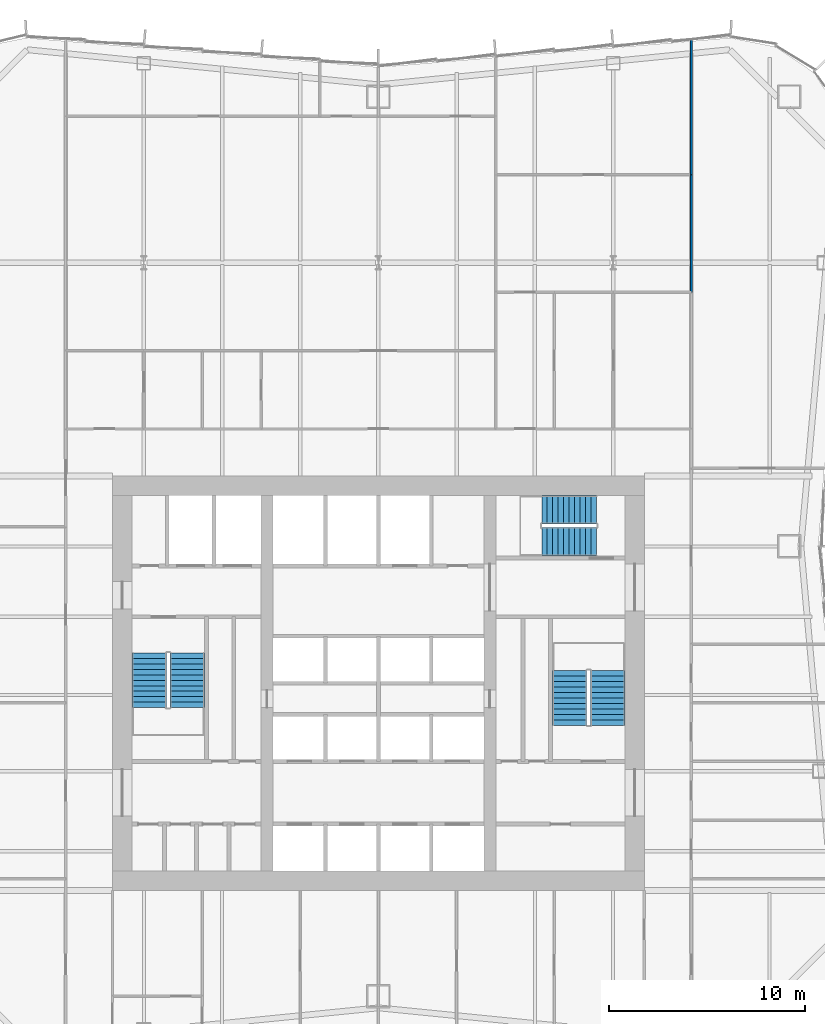
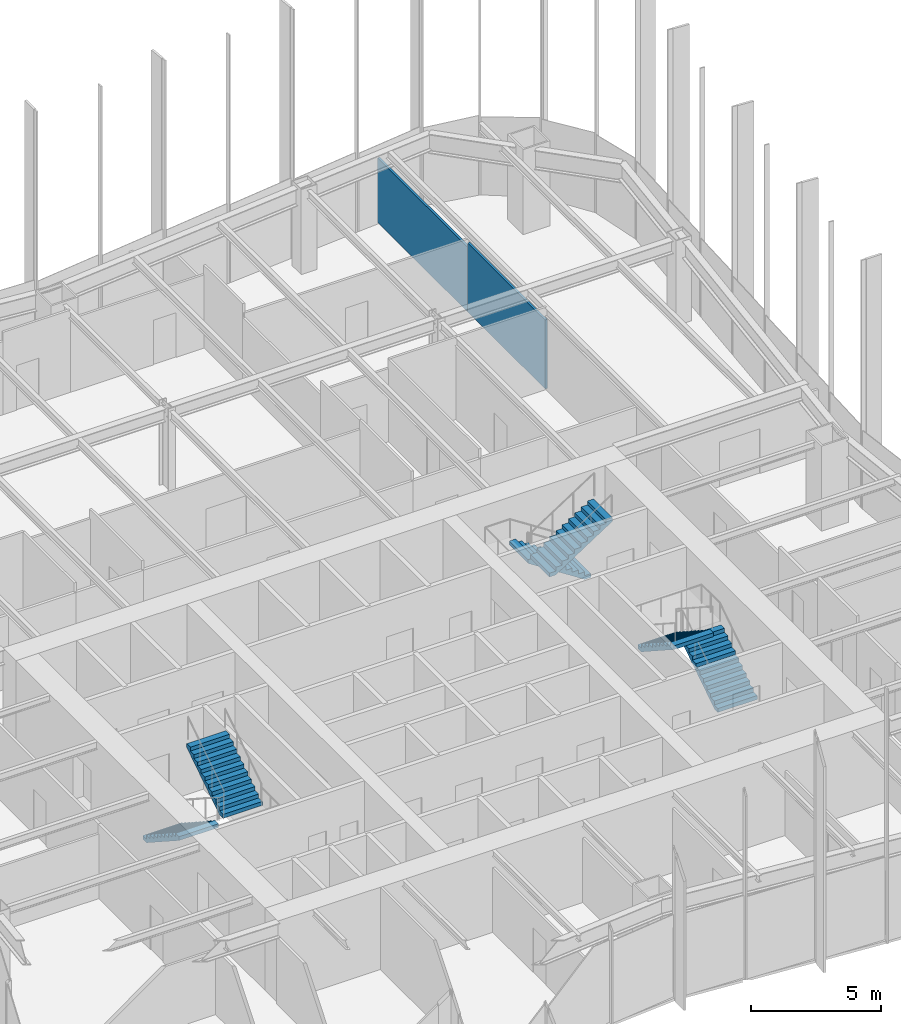
# One storey, part 13 of 14: 6 stair flights, 2 walls, 3 elements without a shape of their own.
"""IFC4 building model written with IfcOpenShell, lengths in metres."""

from ifc_helpers import new_model, si_unit, direction, frame, frame_2d, origin, place, context, subcontext, project, spatial, polyline, rectangle, outline, extrude, material, layer, layer_set, type_object, element, aggregate, save


model = new_model("IFC4")

# Units and contexts
model_context = context("Model", 3, precision=1e-05, world=origin(), true_north=direction((0.0, 1.0)))
body_context = subcontext(model_context, "Body", "Model", "MODEL_VIEW")
ifc_project = project(units=[si_unit("LENGTHUNIT", "METRE"), si_unit("AREAUNIT", "SQUARE_METRE"), si_unit("VOLUMEUNIT", "CUBIC_METRE"), si_unit("PLANEANGLEUNIT", "RADIAN"), si_unit("MASSUNIT", "GRAM", prefix="KILO")], contexts=[model_context])

# Site, building, storey
site_placement = place(None, origin())
site = spatial("IfcSite", under=ifc_project, at=site_placement, CompositionType="ELEMENT")
building_placement = place(site_placement, origin())
building = spatial("IfcBuilding", under=site, at=building_placement, Name="Verdant Reach Tower", CompositionType="ELEMENT")
storey_placement = place(building_placement, frame((0.0, 0.0, 150.0)))
storey = spatial("IfcBuildingStorey", under=building, at=storey_placement, Name="L34", CompositionType="ELEMENT", Elevation=150.0)

# Walls
ifc_material_1 = material(Name="Gypsum board on steel studs", Category="steel")
ifc_layer = layer(ifc_material_1, 0.10009765625)
ifc_layer_set = layer_set([ifc_layer], Name="FL-W1 Partition 100")
wall_type = type_object("IfcWallType", Name="FL-W1 Partition 100", PredefinedType="PARTITIONING", material=ifc_layer_set)
wall_1_placement = place(storey_placement, frame((16.0, 54.0, 0.0), z_axis=(0.0, 0.0, 1.0), x_axis=(0.0, -1.0, 0.0)))
element("IfcWall", 1, at=wall_1_placement, inside=storey, type_object=wall_type, Name="Partition 34.35", PredefinedType="PARTITIONING", context=body_context, shape_type="SweptSolid", body=[
    extrude(rectangle(XDim=6.0, YDim=0.10009765625, at=frame_2d((3.0, 0.0))), origin(), (0.0, 0.0, 1.0), 3.239990234375),
])
wall_2_placement = place(storey_placement, frame((16.0, 60.913330078125, 0.0), z_axis=(0.0, 0.0, 1.0), x_axis=(0.0, -1.0, 0.0)))
element("IfcWall", 2, at=wall_2_placement, inside=storey, type_object=wall_type, Name="Partition 34.36", PredefinedType="PARTITIONING", context=body_context, shape_type="SweptSolid", body=[
    extrude(rectangle(XDim=6.913330078125, YDim=0.10009765625, at=frame_2d((3.45654296875, 0.0))), origin(), (0.0, 0.0, 1.0), 3.0400390625),
])

# Stair, stair flights
ifc_material_2 = material(Name="Concrete C40/50", Category="concrete")
stair_type = type_object("IfcStairType", Name="CO-STAIR", PredefinedType="HALF_TURN_STAIR", material=ifc_material_2)
stair_1_placement = place(storey_placement, origin())
stair_1 = element("IfcStair", 3, at=stair_1_placement, inside=storey, type_object=stair_type, Name="L34 Exit stair 1", PredefinedType="HALF_TURN_STAIR")
stair_flight_type = type_object("IfcStairFlightType", Name="CO-STAIR-FLIGHT", PredefinedType="STRAIGHT", material=ifc_material_2)
stair_flight_1_placement = place(storey_placement, frame((-11.72509765625, 29.550048828125, 0.0), z_axis=(0.0, 0.0, 1.0), x_axis=(0.0, -1.0, 0.0)))
stair_flight_1 = element("IfcStairFlight", 4, at=stair_flight_1_placement, type_object=stair_flight_type, Name="ST-1 flight 1", NumberOfRisers=11, NumberOfTreads=10, PredefinedType="STRAIGHT", RiserHeight=0.181818182, TreadLength=0.28, context=body_context, shape_type="SweptSolid", body=[
    extrude(outline(polyline([(0.0, 0.0), (0.0, 0.181884765625), (0.280029296875, 0.181884765625), (0.280029296875, 0.363525390625), (0.56005859375, 0.363525390625), (0.56005859375, 0.54541015625), (0.840087890625, 0.54541015625), (0.840087890625, 0.727294921875), (1.1201171875, 0.727294921875), (1.1201171875, 0.9091796875), (1.39990234375, 0.9091796875), (1.39990234375, 1.0908203125), (1.679931640625, 1.0908203125), (1.679931640625, 1.272705078125), (1.9599609375, 1.272705078125), (1.9599609375, 1.45458984375), (2.239990234375, 1.45458984375), (2.239990234375, 1.636474609375), (2.52001953125, 1.636474609375), (2.52001953125, 1.818115234375), (2.800048828125, 1.818115234375), (2.800048828125, 2.0), (2.800048828125, 1.639404296875), (0.275146484375, 0.0), (0.0, 0.0)])), frame((0.0, 0.875, 0.0), z_axis=(0.0, -1.0, 0.0), x_axis=(1.0, 0.0, 0.0)), (0.0, 0.0, 1.0), 1.75),
])
stair_flight_2_placement = place(storey_placement, frame((-9.77490234375, 26.75, 2.0), z_axis=(0.0, 0.0, 1.0), x_axis=(0.0, 1.0, 0.0)))
stair_flight_2 = element("IfcStairFlight", 5, at=stair_flight_2_placement, type_object=stair_flight_type, Name="ST-1 flight 2", NumberOfRisers=11, NumberOfTreads=10, PredefinedType="STRAIGHT", RiserHeight=0.181818182, TreadLength=0.28, context=body_context, shape_type="SweptSolid", body=[
    extrude(outline(polyline([(0.0, 0.0), (0.0, 0.181884765625), (0.280029296875, 0.181884765625), (0.280029296875, 0.363525390625), (0.56005859375, 0.363525390625), (0.56005859375, 0.54541015625), (0.840087890625, 0.54541015625), (0.840087890625, 0.727294921875), (1.1201171875, 0.727294921875), (1.1201171875, 0.9091796875), (1.39990234375, 0.9091796875), (1.39990234375, 1.0908203125), (1.679931640625, 1.0908203125), (1.679931640625, 1.272705078125), (1.9599609375, 1.272705078125), (1.9599609375, 1.45458984375), (2.239990234375, 1.45458984375), (2.239990234375, 1.636474609375), (2.52001953125, 1.636474609375), (2.52001953125, 1.818115234375), (2.800048828125, 1.818115234375), (2.800048828125, 2.0), (2.800048828125, 1.639404296875), (0.275146484375, 0.0), (0.0, 0.0)])), frame((0.0, 0.875, 0.0), z_axis=(0.0, -1.0, 0.0), x_axis=(1.0, 0.0, 0.0)), (0.0, 0.0, 1.0), 1.75),
])
aggregate(stair_1, [stair_flight_1, stair_flight_2])

stair_2_placement = place(storey_placement, origin())
stair_2 = element("IfcStair", 6, at=stair_2_placement, inside=storey, type_object=stair_type, Name="L34 Exit stair 2", PredefinedType="HALF_TURN_STAIR")
stair_flight_3_placement = place(storey_placement, frame((11.72509765625, 25.85009765625, 0.0), z_axis=(0.0, 0.0, 1.0), x_axis=(0.0, 1.0, 0.0)))
stair_flight_3 = element("IfcStairFlight", 7, at=stair_flight_3_placement, type_object=stair_flight_type, Name="ST-2 flight 1", NumberOfRisers=11, NumberOfTreads=10, PredefinedType="STRAIGHT", RiserHeight=0.181818182, TreadLength=0.28, context=body_context, shape_type="SweptSolid", body=[
    extrude(outline(polyline([(0.0, 0.0), (0.0, 0.181884765625), (0.280029296875, 0.181884765625), (0.280029296875, 0.363525390625), (0.56005859375, 0.363525390625), (0.56005859375, 0.54541015625), (0.840087890625, 0.54541015625), (0.840087890625, 0.727294921875), (1.1201171875, 0.727294921875), (1.1201171875, 0.9091796875), (1.39990234375, 0.9091796875), (1.39990234375, 1.0908203125), (1.679931640625, 1.0908203125), (1.679931640625, 1.272705078125), (1.9599609375, 1.272705078125), (1.9599609375, 1.45458984375), (2.239990234375, 1.45458984375), (2.239990234375, 1.636474609375), (2.52001953125, 1.636474609375), (2.52001953125, 1.818115234375), (2.800048828125, 1.818115234375), (2.800048828125, 2.0), (2.800048828125, 1.639404296875), (0.275146484375, 0.0), (0.0, 0.0)])), frame((0.0, 0.875, 0.0), z_axis=(0.0, -1.0, 0.0), x_axis=(1.0, 0.0, 0.0)), (0.0, 0.0, 1.0), 1.75),
])
stair_flight_4_placement = place(storey_placement, frame((9.77490234375, 28.64990234375, 2.0), z_axis=(0.0, 0.0, 1.0), x_axis=(0.0, -1.0, 0.0)))
stair_flight_4 = element("IfcStairFlight", 8, at=stair_flight_4_placement, type_object=stair_flight_type, Name="ST-2 flight 2", NumberOfRisers=11, NumberOfTreads=10, PredefinedType="STRAIGHT", RiserHeight=0.181818182, TreadLength=0.28, context=body_context, shape_type="SweptSolid", body=[
    extrude(outline(polyline([(0.0, 0.0), (0.0, 0.181884765625), (0.280029296875, 0.181884765625), (0.280029296875, 0.363525390625), (0.56005859375, 0.363525390625), (0.56005859375, 0.54541015625), (0.840087890625, 0.54541015625), (0.840087890625, 0.727294921875), (1.1201171875, 0.727294921875), (1.1201171875, 0.9091796875), (1.39990234375, 0.9091796875), (1.39990234375, 1.0908203125), (1.679931640625, 1.0908203125), (1.679931640625, 1.272705078125), (1.9599609375, 1.272705078125), (1.9599609375, 1.45458984375), (2.239990234375, 1.45458984375), (2.239990234375, 1.636474609375), (2.52001953125, 1.636474609375), (2.52001953125, 1.818115234375), (2.800048828125, 1.818115234375), (2.800048828125, 2.0), (2.800048828125, 1.639404296875), (0.275146484375, 0.0), (0.0, 0.0)])), frame((0.0, 0.875, 0.0), z_axis=(0.0, -1.0, 0.0), x_axis=(1.0, 0.0, 0.0)), (0.0, 0.0, 1.0), 1.75),
])
aggregate(stair_2, [stair_flight_3, stair_flight_4])

stair_3_placement = place(storey_placement, origin())
stair_3 = element("IfcStair", 9, at=stair_3_placement, inside=storey, type_object=stair_type, Name="L34 Exit stair 3", PredefinedType="HALF_TURN_STAIR")
stair_flight_5_placement = place(storey_placement, frame((11.14990234375, 36.875, 0.0), z_axis=(0.0, 0.0, 1.0), x_axis=(-1.0, 0.0, 0.0)))
stair_flight_5 = element("IfcStairFlight", 10, at=stair_flight_5_placement, type_object=stair_flight_type, Name="ST-3 flight 1", NumberOfRisers=11, NumberOfTreads=10, PredefinedType="STRAIGHT", RiserHeight=0.181818182, TreadLength=0.28, context=body_context, shape_type="SweptSolid", body=[
    extrude(outline(polyline([(0.0, 0.0), (0.0, 0.181884765625), (0.280029296875, 0.181884765625), (0.280029296875, 0.363525390625), (0.56005859375, 0.363525390625), (0.56005859375, 0.54541015625), (0.840087890625, 0.54541015625), (0.840087890625, 0.727294921875), (1.1201171875, 0.727294921875), (1.1201171875, 0.9091796875), (1.39990234375, 0.9091796875), (1.39990234375, 1.0908203125), (1.679931640625, 1.0908203125), (1.679931640625, 1.272705078125), (1.9599609375, 1.272705078125), (1.9599609375, 1.45458984375), (2.239990234375, 1.45458984375), (2.239990234375, 1.636474609375), (2.52001953125, 1.636474609375), (2.52001953125, 1.818115234375), (2.800048828125, 1.818115234375), (2.800048828125, 2.0), (2.800048828125, 1.639404296875), (0.275146484375, 0.0), (0.0, 0.0)])), frame((0.0, 0.72509765625, 0.0), z_axis=(0.0, -1.0, 0.0), x_axis=(1.0, 0.0, 0.0)), (0.0, 0.0, 1.0), 1.449951171875),
])
stair_flight_6_placement = place(storey_placement, frame((8.35009765625, 35.22509765625, 2.0), z_axis=(0.0, 0.0, 1.0), x_axis=(1.0, 0.0, 0.0)))
stair_flight_6 = element("IfcStairFlight", 11, at=stair_flight_6_placement, type_object=stair_flight_type, Name="ST-3 flight 2", NumberOfRisers=11, NumberOfTreads=10, PredefinedType="STRAIGHT", RiserHeight=0.181818182, TreadLength=0.28, context=body_context, shape_type="SweptSolid", body=[
    extrude(outline(polyline([(0.0, 0.0), (0.0, 0.181884765625), (0.280029296875, 0.181884765625), (0.280029296875, 0.363525390625), (0.56005859375, 0.363525390625), (0.56005859375, 0.54541015625), (0.840087890625, 0.54541015625), (0.840087890625, 0.727294921875), (1.1201171875, 0.727294921875), (1.1201171875, 0.9091796875), (1.39990234375, 0.9091796875), (1.39990234375, 1.0908203125), (1.679931640625, 1.0908203125), (1.679931640625, 1.272705078125), (1.9599609375, 1.272705078125), (1.9599609375, 1.45458984375), (2.239990234375, 1.45458984375), (2.239990234375, 1.636474609375), (2.52001953125, 1.636474609375), (2.52001953125, 1.818115234375), (2.800048828125, 1.818115234375), (2.800048828125, 2.0), (2.800048828125, 1.639404296875), (0.275146484375, 0.0), (0.0, 0.0)])), frame((0.0, 0.72509765625, 0.0), z_axis=(0.0, -1.0, 0.0), x_axis=(1.0, 0.0, 0.0)), (0.0, 0.0, 1.0), 1.449951171875),
])
aggregate(stair_3, [stair_flight_5, stair_flight_6])

save(model, "model.ifc")
